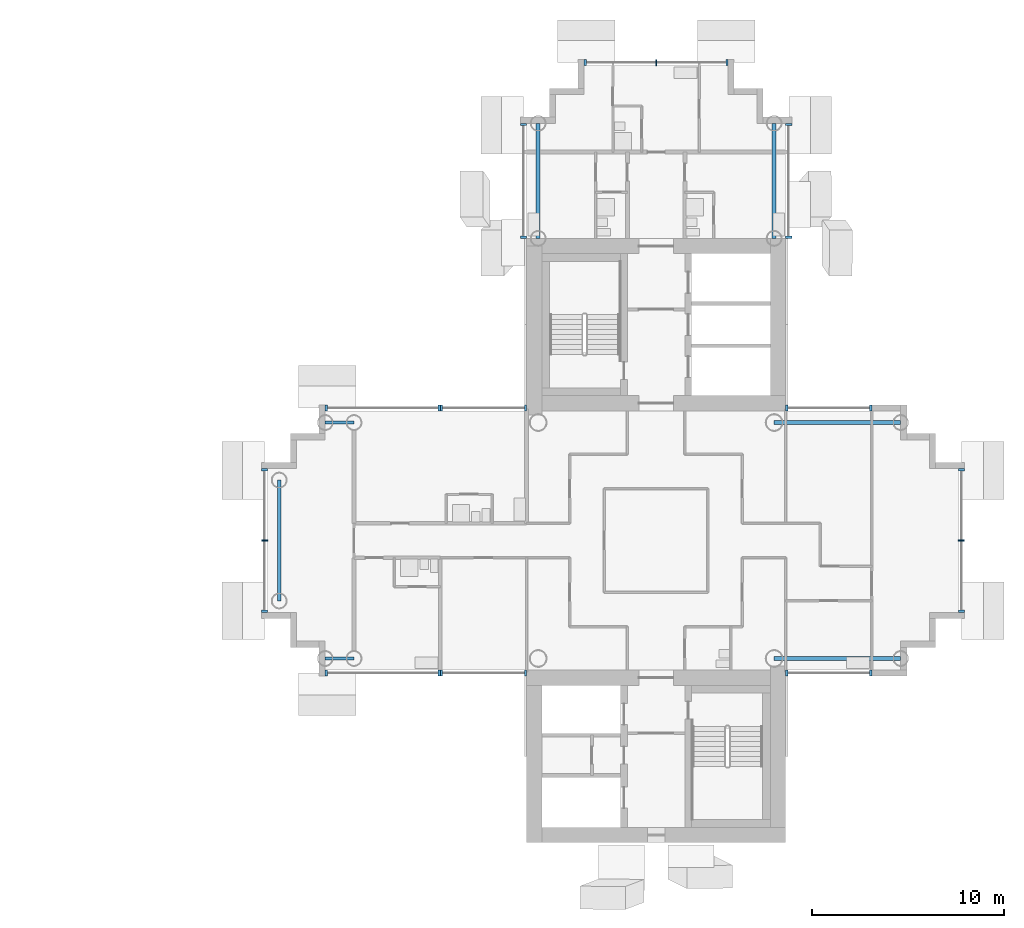
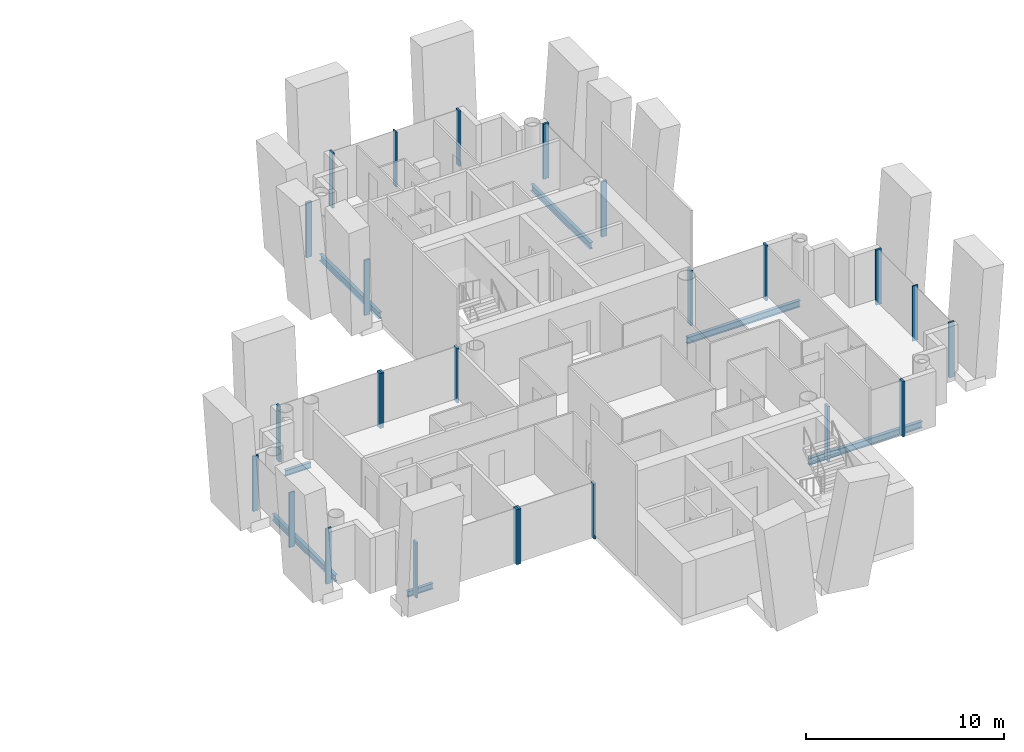
# One storey, part 4 of 18: 25 members, 7 beams, 11 elements without a shape of their own.
"""IFC4 building model written with IfcOpenShell, lengths in metres."""

from ifc_helpers import new_model, si_unit, direction, frame, origin, origin_2d, place, context, subcontext, project, spatial, rectangle, i_section, extrude, material, layer, layer_set, material_profile, profile_set, type_object, element, aggregate, save


model = new_model("IFC4")

# Units and contexts
model_context = context("Model", 3, precision=1e-05, world=origin(), true_north=direction((0.0, 1.0)))
body_context = subcontext(model_context, "Body", "Model", "MODEL_VIEW")
ifc_project = project(units=[si_unit("LENGTHUNIT", "METRE"), si_unit("AREAUNIT", "SQUARE_METRE"), si_unit("VOLUMEUNIT", "CUBIC_METRE"), si_unit("PLANEANGLEUNIT", "RADIAN"), si_unit("MASSUNIT", "GRAM", prefix="KILO")], contexts=[model_context])

# Site, building, storey
site_placement = place(None, origin())
site = spatial("IfcSite", under=ifc_project, at=site_placement, CompositionType="ELEMENT")
building_placement = place(site_placement, origin())
building = spatial("IfcBuilding", under=site, at=building_placement, Name="Ipe Terrace Towers", CompositionType="ELEMENT")
storey_placement = place(building_placement, frame((0.0, 0.0, 164.300048828125)))
storey = spatial("IfcBuildingStorey", under=building, at=storey_placement, Name="L45", CompositionType="ELEMENT", Elevation=164.300048828125)

# Beams
ifc_material_1 = material(Name="Steel S355", Category="steel")
ifc_material_profile_1 = material_profile(ifc_material_1, i_section(OverallWidth=0.175048828125, OverallDepth=0.35009765625, WebThickness=0.007080078125, FlangeThickness=0.010986328125, at=origin_2d()), Name="H-350x175x7x11")
ifc_profile_set_1 = profile_set([ifc_material_profile_1], Name="Steel S355")
beam_type_1 = type_object("IfcBeamType", Name="H04 EDGE BEAM H-350x175x7x11", PredefinedType="BEAM", material=ifc_profile_set_1)
for number, where, z_axis, x_axis, name in (
    (1, (20.25, 6.14990234375, -0.574951171875), (-1.0, 0.0, 0.0), (0.0, -1.0, 0.0), "Edge beam T2-EB-B03-B05"),
    (2, (20.25, -6.14990234375, -0.574951171875), (-1.0, 0.0, 0.0), (0.0, -1.0, 0.0), "Edge beam T2-EB-B04-B06"),
):
    element("IfcBeam", number, at=place(storey_placement, frame(where, z_axis=z_axis, x_axis=x_axis)), inside=storey, type_object=beam_type_1, Name=name, PredefinedType="BEAM", context=body_context, shape_type="SweptSolid", body=[
        extrude(i_section(OverallWidth=0.175048828125, OverallDepth=0.35009765625, WebThickness=0.007080078125, FlangeThickness=0.010986328125, at=origin_2d()), origin(), (0.0, 0.0, 1.0), 1.5),
    ])
ifc_material_2 = material(Name="Steel S355", Category="steel")
ifc_material_profile_2 = material_profile(ifc_material_2, i_section(OverallWidth=0.199951171875, OverallDepth=0.39990234375, WebThickness=0.008056640625, FlangeThickness=0.012939453125, at=origin_2d()), Name="H-400x200x8x13")
ifc_profile_set_2 = profile_set([ifc_material_profile_2], Name="Steel S355")
beam_type_2 = type_object("IfcBeamType", Name="H06 EDGE BEAM H-400x200x8x13", PredefinedType="BEAM", material=ifc_profile_set_2)
for number, where, z_axis, x_axis, name in (
    (3, (42.14990234375, 15.75, -0.60009765625), (0.0, 1.0, 0.0), (-1.0, 0.0, 0.0), "Edge beam T2-EB-A01-A03"),
    (4, (29.85009765625, 15.75, -0.60009765625), (0.0, 1.0, 0.0), (-1.0, 0.0, 0.0), "Edge beam T2-EB-A02-A04"),
):
    element("IfcBeam", number, at=place(storey_placement, frame(where, z_axis=z_axis, x_axis=x_axis)), inside=storey, type_object=beam_type_2, Name=name, PredefinedType="BEAM", context=body_context, shape_type="SweptSolid", body=[
        extrude(i_section(OverallWidth=0.199951171875, OverallDepth=0.39990234375, WebThickness=0.008056640625, FlangeThickness=0.012939453125, at=origin_2d()), origin(), (0.0, 0.0, 1.0), 6.0),
    ])
beam_placement = place(storey_placement, frame((16.35009765625, 3.14990234375, -0.60009765625), z_axis=(0.0, -1.0, 0.0), x_axis=(1.0, 0.0, 0.0)))
element("IfcBeam", 5, at=beam_placement, inside=storey, type_object=beam_type_2, Name="Edge beam T2-EB-B07-B08", PredefinedType="BEAM", context=body_context, shape_type="SweptSolid", body=[
    extrude(i_section(OverallWidth=0.199951171875, OverallDepth=0.39990234375, WebThickness=0.008056640625, FlangeThickness=0.012939453125, at=origin_2d()), origin(), (0.0, 0.0, 1.0), 6.2998046875),
])
for number, where, z_axis, x_axis, name in (
    (6, (48.75, -6.14990234375, -0.60009765625), (-1.0, 0.0, 0.0), (0.0, -1.0, 0.0), "Edge beam T2-EB-D01-E01"),
    (7, (48.75, 6.14990234375, -0.60009765625), (-1.0, 0.0, 0.0), (0.0, -1.0, 0.0), "Edge beam T2-EB-D02-E02"),
):
    element("IfcBeam", number, at=place(storey_placement, frame(where, z_axis=z_axis, x_axis=x_axis)), inside=storey, type_object=beam_type_2, Name=name, PredefinedType="BEAM", context=body_context, shape_type="SweptSolid", body=[
        extrude(i_section(OverallWidth=0.199951171875, OverallDepth=0.39990234375, WebThickness=0.008056640625, FlangeThickness=0.012939453125, at=origin_2d()), origin(), (0.0, 0.0, 1.0), 6.60009765625),
    ])

# Curtain wall, members
ifc_material_3 = material(Name="Aluminium alloy 6063-T6", Category="aluminium")
ifc_layer = layer(ifc_material_3, 0.320068359375)
ifc_layer_set = layer_set([ifc_layer], Name="TOWER UNITISED CURTAIN WALL")
curtain_wall_type = type_object("IfcCurtainWallType", Name="TOWER UNITISED CURTAIN WALL", PredefinedType="NOTDEFINED", material=ifc_layer_set)
curtain_wall_1_placement = place(storey_placement, origin())
curtain_wall_1 = element("IfcCurtainWall", 8, at=curtain_wall_1_placement, inside=storey, type_object=curtain_wall_type, Name="T2-CW-L45-02a curtain wall", PredefinedType="NOTDEFINED")
ifc_material_4 = material(Name="Aluminium alloy 6063-T6", Category="aluminium")
ifc_material_profile_3 = material_profile(ifc_material_4, rectangle(XDim=0.320068359375, YDim=0.1201171875, at=origin_2d()), Name="TOWER UNITISED CORNER MULLION 320 x 120")
ifc_profile_set_3 = profile_set([ifc_material_profile_3], Name="Aluminium alloy 6063-T6")
member_type_1 = type_object("IfcMemberType", Name="TOWER UNITISED CORNER MULLION 320 x 120", PredefinedType="MULLION", material=ifc_profile_set_3)
member_1_placement = place(storey_placement, frame((42.81005859375, -6.909912109375, -0.300048828125), z_axis=(0.0, 0.0, 1.0), x_axis=(0.0, -1.0, 0.0)))
member_1 = element("IfcMember", 9, at=member_1_placement, type_object=member_type_1, Name="T2-CW-L45-02a mullion 1", PredefinedType="MULLION", context=body_context, shape_type="SweptSolid", body=[
    extrude(rectangle(XDim=0.320068359375, YDim=0.1201171875, at=origin_2d()), origin(), (0.0, 0.0, 1.0), 3.39990234375),
])
member_2_placement = place(storey_placement, frame((47.18994140625, -6.909912109375, -0.300048828125), z_axis=(0.0, 0.0, 1.0), x_axis=(0.0, -1.0, 0.0)))
member_2 = element("IfcMember", 10, at=member_2_placement, type_object=member_type_1, Name="T2-CW-L45-02a mullion 2", PredefinedType="MULLION", context=body_context, shape_type="SweptSolid", body=[
    extrude(rectangle(XDim=0.320068359375, YDim=0.1201171875, at=origin_2d()), origin(), (0.0, 0.0, 1.0), 3.39990234375),
])
aggregate(curtain_wall_1, [member_1, member_2])

curtain_wall_2_placement = place(storey_placement, origin())
curtain_wall_2 = element("IfcCurtainWall", 11, at=curtain_wall_2_placement, inside=storey, type_object=curtain_wall_type, Name="T2-CW-L45-08a curtain wall", PredefinedType="NOTDEFINED")
member_3_placement = place(storey_placement, frame((51.909912109375, -3.68994140625, -0.300048828125), z_axis=(0.0, 0.0, 1.0), x_axis=(1.0, 0.0, 0.0)))
member_3 = element("IfcMember", 12, at=member_3_placement, type_object=member_type_1, Name="T2-CW-L45-08a mullion 1", PredefinedType="MULLION", context=body_context, shape_type="SweptSolid", body=[
    extrude(rectangle(XDim=0.320068359375, YDim=0.1201171875, at=origin_2d()), origin(), (0.0, 0.0, 1.0), 3.39990234375),
])
member_4_placement = place(storey_placement, frame((51.909912109375, 3.68994140625, -0.300048828125), z_axis=(0.0, 0.0, 1.0), x_axis=(1.0, 0.0, 0.0)))
member_4 = element("IfcMember", 13, at=member_4_placement, type_object=member_type_1, Name="T2-CW-L45-08a mullion 3", PredefinedType="MULLION", context=body_context, shape_type="SweptSolid", body=[
    extrude(rectangle(XDim=0.320068359375, YDim=0.1201171875, at=origin_2d()), origin(), (0.0, 0.0, 1.0), 3.39990234375),
])

curtain_wall_3_placement = place(storey_placement, origin())
curtain_wall_3 = element("IfcCurtainWall", 14, at=curtain_wall_3_placement, inside=storey, type_object=curtain_wall_type, Name="T2-CW-L45-14a curtain wall", PredefinedType="NOTDEFINED")
member_5_placement = place(storey_placement, frame((47.18994140625, 6.909912109375, -0.300048828125), z_axis=(0.0, 0.0, 1.0), x_axis=(0.0, 1.0, 0.0)))
member_5 = element("IfcMember", 15, at=member_5_placement, type_object=member_type_1, Name="T2-CW-L45-14a mullion 1", PredefinedType="MULLION", context=body_context, shape_type="SweptSolid", body=[
    extrude(rectangle(XDim=0.320068359375, YDim=0.1201171875, at=origin_2d()), origin(), (0.0, 0.0, 1.0), 3.39990234375),
])
member_6_placement = place(storey_placement, frame((42.81005859375, 6.909912109375, -0.300048828125), z_axis=(0.0, 0.0, 1.0), x_axis=(0.0, 1.0, 0.0)))
member_6 = element("IfcMember", 16, at=member_6_placement, type_object=member_type_1, Name="T2-CW-L45-14a mullion 2", PredefinedType="MULLION", context=body_context, shape_type="SweptSolid", body=[
    extrude(rectangle(XDim=0.320068359375, YDim=0.1201171875, at=origin_2d()), origin(), (0.0, 0.0, 1.0), 3.39990234375),
])
aggregate(curtain_wall_3, [member_5, member_6])

curtain_wall_4_placement = place(storey_placement, origin())
curtain_wall_4 = element("IfcCurtainWall", 17, at=curtain_wall_4_placement, inside=storey, type_object=curtain_wall_type, Name="T2-CW-L45-16b curtain wall", PredefinedType="NOTDEFINED")
member_7_placement = place(storey_placement, frame((42.909912109375, 15.81103515625, -0.300048828125), z_axis=(0.0, 0.0, 1.0), x_axis=(1.0, 0.0, 0.0)))
member_7 = element("IfcMember", 18, at=member_7_placement, type_object=member_type_1, Name="T2-CW-L45-16b mullion 1", PredefinedType="MULLION", context=body_context, shape_type="SweptSolid", body=[
    extrude(rectangle(XDim=0.320068359375, YDim=0.1201171875, at=origin_2d()), origin(), (0.0, 0.0, 1.0), 3.39990234375),
])
member_8_placement = place(storey_placement, frame((42.909912109375, 21.68994140625, -0.300048828125), z_axis=(0.0, 0.0, 1.0), x_axis=(1.0, 0.0, 0.0)))
member_8 = element("IfcMember", 19, at=member_8_placement, type_object=member_type_1, Name="T2-CW-L45-16b mullion 2", PredefinedType="MULLION", context=body_context, shape_type="SweptSolid", body=[
    extrude(rectangle(XDim=0.320068359375, YDim=0.1201171875, at=origin_2d()), origin(), (0.0, 0.0, 1.0), 3.39990234375),
])
aggregate(curtain_wall_4, [member_7, member_8])

curtain_wall_5_placement = place(storey_placement, origin())
curtain_wall_5 = element("IfcCurtainWall", 20, at=curtain_wall_5_placement, inside=storey, type_object=curtain_wall_type, Name="T2-CW-L45-21a curtain wall", PredefinedType="NOTDEFINED")
member_9_placement = place(storey_placement, frame((39.68994140625, 24.909912109375, -0.300048828125), z_axis=(0.0, 0.0, 1.0), x_axis=(0.0, 1.0, 0.0)))
member_9 = element("IfcMember", 21, at=member_9_placement, type_object=member_type_1, Name="T2-CW-L45-21a mullion 1", PredefinedType="MULLION", context=body_context, shape_type="SweptSolid", body=[
    extrude(rectangle(XDim=0.320068359375, YDim=0.1201171875, at=origin_2d()), origin(), (0.0, 0.0, 1.0), 3.39990234375),
])
member_10_placement = place(storey_placement, frame((32.31005859375, 24.909912109375, -0.300048828125), z_axis=(0.0, 0.0, 1.0), x_axis=(0.0, 1.0, 0.0)))
member_10 = element("IfcMember", 22, at=member_10_placement, type_object=member_type_1, Name="T2-CW-L45-21a mullion 3", PredefinedType="MULLION", context=body_context, shape_type="SweptSolid", body=[
    extrude(rectangle(XDim=0.320068359375, YDim=0.1201171875, at=origin_2d()), origin(), (0.0, 0.0, 1.0), 3.39990234375),
])

curtain_wall_6_placement = place(storey_placement, origin())
curtain_wall_6 = element("IfcCurtainWall", 23, at=curtain_wall_6_placement, inside=storey, type_object=curtain_wall_type, Name="T2-CW-L45-26a curtain wall", PredefinedType="NOTDEFINED")
member_11_placement = place(storey_placement, frame((29.090087890625, 21.68994140625, -0.300048828125), z_axis=(0.0, 0.0, 1.0), x_axis=(-1.0, 0.0, 0.0)))
member_11 = element("IfcMember", 24, at=member_11_placement, type_object=member_type_1, Name="T2-CW-L45-26a mullion 1", PredefinedType="MULLION", context=body_context, shape_type="SweptSolid", body=[
    extrude(rectangle(XDim=0.320068359375, YDim=0.1201171875, at=origin_2d()), origin(), (0.0, 0.0, 1.0), 3.39990234375),
])
member_12_placement = place(storey_placement, frame((29.090087890625, 15.81103515625, -0.300048828125), z_axis=(0.0, 0.0, 1.0), x_axis=(-1.0, 0.0, 0.0)))
member_12 = element("IfcMember", 25, at=member_12_placement, type_object=member_type_1, Name="T2-CW-L45-26a mullion 2", PredefinedType="MULLION", context=body_context, shape_type="SweptSolid", body=[
    extrude(rectangle(XDim=0.320068359375, YDim=0.1201171875, at=origin_2d()), origin(), (0.0, 0.0, 1.0), 3.39990234375),
])
aggregate(curtain_wall_6, [member_11, member_12])

curtain_wall_7_placement = place(storey_placement, origin())
curtain_wall_7 = element("IfcCurtainWall", 26, at=curtain_wall_7_placement, inside=storey, type_object=curtain_wall_type, Name="T2-CW-L45-28a curtain wall", PredefinedType="NOTDEFINED")
member_13_placement = place(storey_placement, frame((29.18994140625, 6.909912109375, -0.300048828125), z_axis=(0.0, 0.0, 1.0), x_axis=(0.0, 1.0, 0.0)))
member_13 = element("IfcMember", 27, at=member_13_placement, type_object=member_type_1, Name="T2-CW-L45-28a mullion 1", PredefinedType="MULLION", context=body_context, shape_type="SweptSolid", body=[
    extrude(rectangle(XDim=0.320068359375, YDim=0.1201171875, at=origin_2d()), origin(), (0.0, 0.0, 1.0), 3.39990234375),
])
member_14_placement = place(storey_placement, frame((24.81005859375, 6.909912109375, -0.300048828125), z_axis=(0.0, 0.0, 1.0), x_axis=(0.0, 1.0, 0.0)))
member_14 = element("IfcMember", 28, at=member_14_placement, type_object=member_type_1, Name="T2-CW-L45-28a mullion 2", PredefinedType="MULLION", context=body_context, shape_type="SweptSolid", body=[
    extrude(rectangle(XDim=0.320068359375, YDim=0.1201171875, at=origin_2d()), origin(), (0.0, 0.0, 1.0), 3.39990234375),
])
aggregate(curtain_wall_7, [member_13, member_14])

curtain_wall_8_placement = place(storey_placement, origin())
curtain_wall_8 = element("IfcCurtainWall", 29, at=curtain_wall_8_placement, inside=storey, type_object=curtain_wall_type, Name="T2-CW-L45-29a curtain wall", PredefinedType="NOTDEFINED")
member_15_placement = place(storey_placement, frame((24.68994140625, 6.909912109375, -0.300048828125), z_axis=(0.0, 0.0, 1.0), x_axis=(0.0, 1.0, 0.0)))
member_15 = element("IfcMember", 30, at=member_15_placement, type_object=member_type_1, Name="T2-CW-L45-29a mullion 1", PredefinedType="MULLION", context=body_context, shape_type="SweptSolid", body=[
    extrude(rectangle(XDim=0.320068359375, YDim=0.1201171875, at=origin_2d()), origin(), (0.0, 0.0, 1.0), 3.39990234375),
])
member_16_placement = place(storey_placement, frame((18.81005859375, 6.909912109375, -0.300048828125), z_axis=(0.0, 0.0, 1.0), x_axis=(0.0, 1.0, 0.0)))
member_16 = element("IfcMember", 31, at=member_16_placement, type_object=member_type_1, Name="T2-CW-L45-29a mullion 2", PredefinedType="MULLION", context=body_context, shape_type="SweptSolid", body=[
    extrude(rectangle(XDim=0.320068359375, YDim=0.1201171875, at=origin_2d()), origin(), (0.0, 0.0, 1.0), 3.39990234375),
])
aggregate(curtain_wall_8, [member_15, member_16])

curtain_wall_9_placement = place(storey_placement, origin())
curtain_wall_9 = element("IfcCurtainWall", 32, at=curtain_wall_9_placement, inside=storey, type_object=curtain_wall_type, Name="T2-CW-L45-34a curtain wall", PredefinedType="NOTDEFINED")
member_17_placement = place(storey_placement, frame((15.590087890625, 3.68994140625, -0.300048828125), z_axis=(0.0, 0.0, 1.0), x_axis=(-1.0, 0.0, 0.0)))
member_17 = element("IfcMember", 33, at=member_17_placement, type_object=member_type_1, Name="T2-CW-L45-34a mullion 1", PredefinedType="MULLION", context=body_context, shape_type="SweptSolid", body=[
    extrude(rectangle(XDim=0.320068359375, YDim=0.1201171875, at=origin_2d()), origin(), (0.0, 0.0, 1.0), 3.39990234375),
])
member_18_placement = place(storey_placement, frame((15.590087890625, -3.68994140625, -0.300048828125), z_axis=(0.0, 0.0, 1.0), x_axis=(-1.0, 0.0, 0.0)))
member_18 = element("IfcMember", 34, at=member_18_placement, type_object=member_type_1, Name="T2-CW-L45-34a mullion 3", PredefinedType="MULLION", context=body_context, shape_type="SweptSolid", body=[
    extrude(rectangle(XDim=0.320068359375, YDim=0.1201171875, at=origin_2d()), origin(), (0.0, 0.0, 1.0), 3.39990234375),
])

curtain_wall_10_placement = place(storey_placement, origin())
curtain_wall_10 = element("IfcCurtainWall", 35, at=curtain_wall_10_placement, inside=storey, type_object=curtain_wall_type, Name="T2-CW-L45-39a curtain wall", PredefinedType="NOTDEFINED")
member_19_placement = place(storey_placement, frame((18.81005859375, -6.909912109375, -0.300048828125), z_axis=(0.0, 0.0, 1.0), x_axis=(0.0, -1.0, 0.0)))
member_19 = element("IfcMember", 36, at=member_19_placement, type_object=member_type_1, Name="T2-CW-L45-39a mullion 1", PredefinedType="MULLION", context=body_context, shape_type="SweptSolid", body=[
    extrude(rectangle(XDim=0.320068359375, YDim=0.1201171875, at=origin_2d()), origin(), (0.0, 0.0, 1.0), 3.39990234375),
])
member_20_placement = place(storey_placement, frame((24.68994140625, -6.909912109375, -0.300048828125), z_axis=(0.0, 0.0, 1.0), x_axis=(0.0, -1.0, 0.0)))
member_20 = element("IfcMember", 37, at=member_20_placement, type_object=member_type_1, Name="T2-CW-L45-39a mullion 2", PredefinedType="MULLION", context=body_context, shape_type="SweptSolid", body=[
    extrude(rectangle(XDim=0.320068359375, YDim=0.1201171875, at=origin_2d()), origin(), (0.0, 0.0, 1.0), 3.39990234375),
])
aggregate(curtain_wall_10, [member_19, member_20])

curtain_wall_11_placement = place(storey_placement, origin())
curtain_wall_11 = element("IfcCurtainWall", 38, at=curtain_wall_11_placement, inside=storey, type_object=curtain_wall_type, Name="T2-CW-L45-40a curtain wall", PredefinedType="NOTDEFINED")
member_21_placement = place(storey_placement, frame((24.81005859375, -6.909912109375, -0.300048828125), z_axis=(0.0, 0.0, 1.0), x_axis=(0.0, -1.0, 0.0)))
member_21 = element("IfcMember", 39, at=member_21_placement, type_object=member_type_1, Name="T2-CW-L45-40a mullion 1", PredefinedType="MULLION", context=body_context, shape_type="SweptSolid", body=[
    extrude(rectangle(XDim=0.320068359375, YDim=0.1201171875, at=origin_2d()), origin(), (0.0, 0.0, 1.0), 3.39990234375),
])
member_22_placement = place(storey_placement, frame((29.18994140625, -6.909912109375, -0.300048828125), z_axis=(0.0, 0.0, 1.0), x_axis=(0.0, -1.0, 0.0)))
member_22 = element("IfcMember", 40, at=member_22_placement, type_object=member_type_1, Name="T2-CW-L45-40a mullion 2", PredefinedType="MULLION", context=body_context, shape_type="SweptSolid", body=[
    extrude(rectangle(XDim=0.320068359375, YDim=0.1201171875, at=origin_2d()), origin(), (0.0, 0.0, 1.0), 3.39990234375),
])
aggregate(curtain_wall_11, [member_21, member_22])

# Member
ifc_material_5 = material(Name="Aluminium alloy 6063-T6", Category="aluminium")
ifc_material_profile_4 = material_profile(ifc_material_5, rectangle(XDim=0.320068359375, YDim=0.06494140625, at=origin_2d()), Name="TOWER UNITISED MULLION 320 x 65")
ifc_profile_set_4 = profile_set([ifc_material_profile_4], Name="Aluminium alloy 6063-T6")
member_type_2 = type_object("IfcMemberType", Name="TOWER UNITISED MULLION 320 x 65", PredefinedType="MULLION", material=ifc_profile_set_4)
member_23_placement = place(storey_placement, frame((51.909912109375, 0.0, -0.300048828125), z_axis=(0.0, 0.0, 1.0), x_axis=(1.0, 0.0, 0.0)))
member_23 = element("IfcMember", 41, at=member_23_placement, type_object=member_type_2, Name="T2-CW-L45-08a mullion 2", PredefinedType="MULLION", context=body_context, shape_type="SweptSolid", body=[
    extrude(rectangle(XDim=0.320068359375, YDim=0.06494140625, at=origin_2d()), origin(), (0.0, 0.0, 1.0), 3.39990234375),
])

aggregate(curtain_wall_2, [member_3, member_23, member_4])

member_24_placement = place(storey_placement, frame((36.0, 24.909912109375, -0.300048828125), z_axis=(0.0, 0.0, 1.0), x_axis=(0.0, 1.0, 0.0)))
member_24 = element("IfcMember", 42, at=member_24_placement, type_object=member_type_2, Name="T2-CW-L45-21a mullion 2", PredefinedType="MULLION", context=body_context, shape_type="SweptSolid", body=[
    extrude(rectangle(XDim=0.320068359375, YDim=0.06494140625, at=origin_2d()), origin(), (0.0, 0.0, 1.0), 3.39990234375),
])

aggregate(curtain_wall_5, [member_9, member_24, member_10])

member_25_placement = place(storey_placement, frame((15.590087890625, 0.0, -0.300048828125), z_axis=(0.0, 0.0, 1.0), x_axis=(-1.0, 0.0, 0.0)))
member_25 = element("IfcMember", 43, at=member_25_placement, type_object=member_type_2, Name="T2-CW-L45-34a mullion 2", PredefinedType="MULLION", context=body_context, shape_type="SweptSolid", body=[
    extrude(rectangle(XDim=0.320068359375, YDim=0.06494140625, at=origin_2d()), origin(), (0.0, 0.0, 1.0), 3.39990234375),
])

aggregate(curtain_wall_9, [member_17, member_25, member_18])

save(model, "model.ifc")
